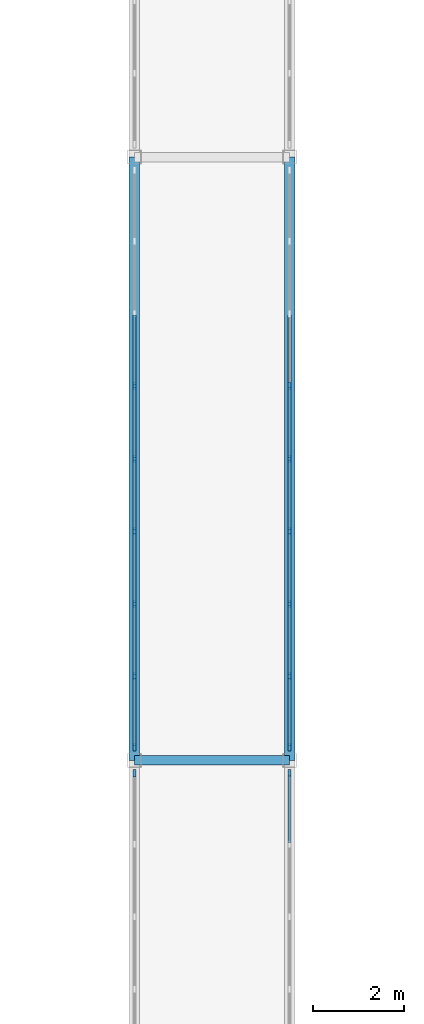
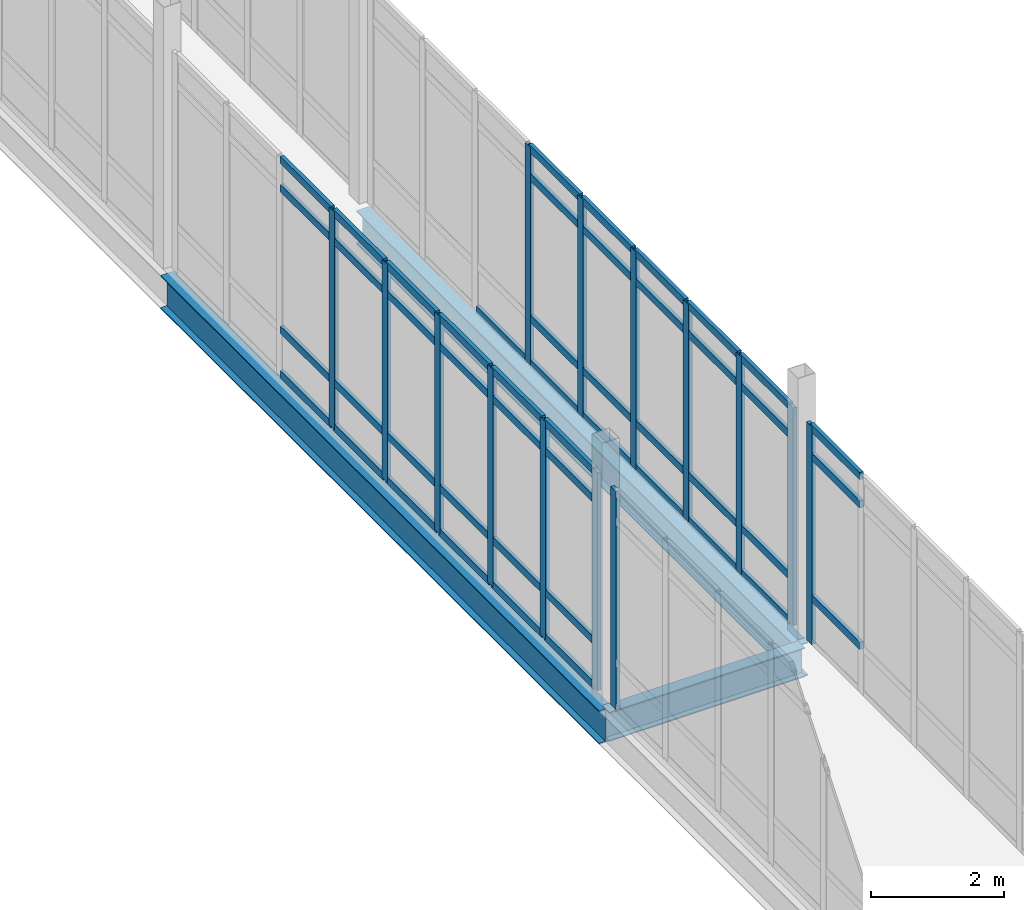
# One storey, part 54 of 125: 62 members, 3 beams, 4 elements without a shape of their own.
"""IFC4 building model written with IfcOpenShell, lengths in metres."""

from ifc_helpers import new_model, si_unit, direction, frame, origin, origin_2d, place, context, subcontext, project, spatial, rectangle, i_section, extrude, material, material_profile, profile_set, type_object, element, aggregate, save


model = new_model("IFC4")

# Units and contexts
model_context = context("Model", 3, precision=1e-05, world=origin(), true_north=direction((0.0, 1.0)))
body_context = subcontext(model_context, "Body", "Model", "MODEL_VIEW")
ifc_project = project(units=[si_unit("LENGTHUNIT", "METRE"), si_unit("AREAUNIT", "SQUARE_METRE"), si_unit("VOLUMEUNIT", "CUBIC_METRE"), si_unit("PLANEANGLEUNIT", "RADIAN"), si_unit("MASSUNIT", "GRAM", prefix="KILO")], contexts=[model_context])

# Site, building, storey
site_placement = place(None, origin())
site = spatial("IfcSite", under=ifc_project, at=site_placement, CompositionType="ELEMENT")
building_placement = place(site_placement, origin())
building = spatial("IfcBuilding", under=site, at=building_placement, Name="Dornvale Research Institute", CompositionType="ELEMENT")
storey_placement = place(building_placement, frame((0.0, 0.0, 5.39990234375)))
storey = spatial("IfcBuildingStorey", under=building, at=storey_placement, Name="L01", CompositionType="ELEMENT", Elevation=5.39990234375)

# Beams
ifc_material_1 = material(Name="Steel ASTM A992 Grade 50", Category="steel")
ifc_material_profile_1 = material_profile(ifc_material_1, i_section(OverallWidth=0.2099609375, OverallDepth=0.535888671875, WebThickness=0.010986328125, FlangeThickness=0.017333984375, at=origin_2d()), Name="W21X68")
ifc_profile_set_1 = profile_set([ifc_material_profile_1], Name="Steel ASTM A992 Grade 50")
beam_type_1 = type_object("IfcBeamType", Name="Beam_Steel_W21X68_Ext", PredefinedType="BEAM", material=ifc_profile_set_1)
beam_placement = place(storey_placement, frame((140.199951171875, 52.800048828125, -0.48779296875), z_axis=(1.0, 0.0, 0.0), x_axis=(0.0, 1.0, 0.0)))
element("IfcBeam", 1, at=beam_placement, inside=storey, type_object=beam_type_1, Name="L01 BR-7 portal cap beam #2026", PredefinedType="BEAM", context=body_context, shape_type="SweptSolid", body=[
    extrude(i_section(OverallWidth=0.2099609375, OverallDepth=0.535888671875, WebThickness=0.010986328125, FlangeThickness=0.017333984375, at=origin_2d()), origin(), (0.0, 0.0, 1.0), 3.400146484375),
])
ifc_material_2 = material(Name="Steel ASTM A992 Grade 50", Category="steel")
ifc_material_profile_2 = material_profile(ifc_material_2, i_section(OverallWidth=0.22900390625, OverallDepth=0.612060546875, WebThickness=0.011962890625, FlangeThickness=0.01953125, at=origin_2d()), Name="W24X84")
ifc_profile_set_2 = profile_set([ifc_material_profile_2], Name="Steel ASTM A992 Grade 50")
beam_type_2 = type_object("IfcBeamType", Name="Beam_Steel_W24X84_Bridge", PredefinedType="BEAM", material=ifc_profile_set_2)
for number, where, z_axis, x_axis, name in (
    (2, (140.199951171875, 52.800048828125, -0.52587890625), (0.0, 1.0, 0.0), (-1.0, 0.0, 0.0), "L01 BR-7 west girder #2026"),
    (3, (143.60009765625, 52.800048828125, -0.52587890625), (0.0, 1.0, 0.0), (-1.0, 0.0, 0.0), "L01 BR-7 east girder #2026"),
):
    element("IfcBeam", number, at=place(storey_placement, frame(where, z_axis=z_axis, x_axis=x_axis)), inside=storey, type_object=beam_type_2, Name=name, PredefinedType="BEAM", context=body_context, shape_type="SweptSolid", body=[
        extrude(i_section(OverallWidth=0.22900390625, OverallDepth=0.612060546875, WebThickness=0.011962890625, FlangeThickness=0.01953125, at=origin_2d()), origin(), (0.0, 0.0, 1.0), 13.199951171875),
    ])

# Curtain wall, member
ifc_material_3 = material(Name="Low-E Argon Double Insulating Glazing Unit", Category="glass")
curtain_wall_type = type_object("IfcCurtainWallType", Name="UnitisedCurtainWall_V2_12700x4000", PredefinedType="USERDEFINED", material=ifc_material_3)
curtain_wall_1_placement = place(storey_placement, origin())
curtain_wall_1 = element("IfcCurtainWall", 4, at=curtain_wall_1_placement, inside=storey, type_object=curtain_wall_type, Name="L01 V2 unitised curtain wall CW-42 #233", ObjectType="UNITISED CURTAIN WALL", PredefinedType="USERDEFINED")
ifc_material_4 = material(Name="Anodized Aluminum AA 6063-T6 Thermally Broken Frame", Category="aluminium")
ifc_material_profile_3 = material_profile(ifc_material_4, rectangle(XDim=0.06494140625, YDim=0.1650390625, at=origin_2d()), Name="ALU MULLION 65x165")
ifc_profile_set_3 = profile_set([ifc_material_profile_3], Name="Anodized Aluminum AA 6063-T6 Thermally Broken Frame")
member_type_1 = type_object("IfcMemberType", Name="Mullion_Atrium_65x165", PredefinedType="MULLION", material=ifc_profile_set_3)
member_1_placement = place(storey_placement, frame((140.199951171875, 52.517578125, 0.0), z_axis=(0.0, 0.0, 1.0), x_axis=(-1.0, 0.0, 0.0)))
member_1 = element("IfcMember", 5, at=member_1_placement, type_object=member_type_1, Name="CW-42 mullion 9", PredefinedType="MULLION", context=body_context, shape_type="SweptSolid", body=[
    extrude(rectangle(XDim=0.06494140625, YDim=0.1650390625, at=origin_2d()), origin(), (0.0, 0.0, 1.0), 4.0),
])
aggregate(curtain_wall_1, [member_1])

curtain_wall_2_placement = place(storey_placement, origin())
curtain_wall_2 = element("IfcCurtainWall", 6, at=curtain_wall_2_placement, inside=storey, type_object=curtain_wall_type, Name="L01 V2 unitised curtain wall CW-42 #234", ObjectType="UNITISED CURTAIN WALL", PredefinedType="USERDEFINED")
member_2_placement = place(storey_placement, frame((143.60009765625, 52.517578125, 0.0), z_axis=(0.0, 0.0, 1.0), x_axis=(1.0, 0.0, 0.0)))
member_2 = element("IfcMember", 7, at=member_2_placement, type_object=member_type_1, Name="CW-42 mullion 1", PredefinedType="MULLION", context=body_context, shape_type="SweptSolid", body=[
    extrude(rectangle(XDim=0.06494140625, YDim=0.1650390625, at=origin_2d()), origin(), (0.0, 0.0, 1.0), 4.0),
])

# Curtain wall, members
curtain_wall_3_placement = place(storey_placement, origin())
curtain_wall_3 = element("IfcCurtainWall", 8, at=curtain_wall_3_placement, inside=storey, type_object=curtain_wall_type, Name="L01 V2 unitised curtain wall CW-42 #235", ObjectType="UNITISED CURTAIN WALL", PredefinedType="USERDEFINED")
member_3_placement = place(storey_placement, frame((140.199951171875, 53.08251953125, 0.0), z_axis=(0.0, 0.0, 1.0), x_axis=(-1.0, 0.0, 0.0)))
member_3 = element("IfcMember", 9, at=member_3_placement, type_object=member_type_1, Name="CW-42 mullion 1", PredefinedType="MULLION", context=body_context, shape_type="SweptSolid", body=[
    extrude(rectangle(XDim=0.06494140625, YDim=0.1650390625, at=origin_2d()), origin(), (0.0, 0.0, 1.0), 4.0),
])
member_4_placement = place(storey_placement, frame((140.199951171875, 54.637451171875, 0.0), z_axis=(0.0, 0.0, 1.0), x_axis=(-1.0, 0.0, 0.0)))
member_4 = element("IfcMember", 10, at=member_4_placement, type_object=member_type_1, Name="CW-42 mullion 2", PredefinedType="MULLION", context=body_context, shape_type="SweptSolid", body=[
    extrude(rectangle(XDim=0.06494140625, YDim=0.1650390625, at=origin_2d()), origin(), (0.0, 0.0, 1.0), 4.0),
])
member_5_placement = place(storey_placement, frame((140.199951171875, 56.22509765625, 0.0), z_axis=(0.0, 0.0, 1.0), x_axis=(-1.0, 0.0, 0.0)))
member_5 = element("IfcMember", 11, at=member_5_placement, type_object=member_type_1, Name="CW-42 mullion 3", PredefinedType="MULLION", context=body_context, shape_type="SweptSolid", body=[
    extrude(rectangle(XDim=0.06494140625, YDim=0.1650390625, at=origin_2d()), origin(), (0.0, 0.0, 1.0), 4.0),
])
member_6_placement = place(storey_placement, frame((140.199951171875, 57.8125, 0.0), z_axis=(0.0, 0.0, 1.0), x_axis=(-1.0, 0.0, 0.0)))
member_6 = element("IfcMember", 12, at=member_6_placement, type_object=member_type_1, Name="CW-42 mullion 4", PredefinedType="MULLION", context=body_context, shape_type="SweptSolid", body=[
    extrude(rectangle(XDim=0.06494140625, YDim=0.1650390625, at=origin_2d()), origin(), (0.0, 0.0, 1.0), 4.0),
])
member_7_placement = place(storey_placement, frame((140.199951171875, 59.39990234375, 0.0), z_axis=(0.0, 0.0, 1.0), x_axis=(-1.0, 0.0, 0.0)))
member_7 = element("IfcMember", 13, at=member_7_placement, type_object=member_type_1, Name="CW-42 mullion 5", PredefinedType="MULLION", context=body_context, shape_type="SweptSolid", body=[
    extrude(rectangle(XDim=0.06494140625, YDim=0.1650390625, at=origin_2d()), origin(), (0.0, 0.0, 1.0), 4.0),
])
member_8_placement = place(storey_placement, frame((140.199951171875, 60.987548828125, 0.0), z_axis=(0.0, 0.0, 1.0), x_axis=(-1.0, 0.0, 0.0)))
member_8 = element("IfcMember", 14, at=member_8_placement, type_object=member_type_1, Name="CW-42 mullion 6", PredefinedType="MULLION", context=body_context, shape_type="SweptSolid", body=[
    extrude(rectangle(XDim=0.06494140625, YDim=0.1650390625, at=origin_2d()), origin(), (0.0, 0.0, 1.0), 4.0),
])

curtain_wall_4_placement = place(storey_placement, origin())
curtain_wall_4 = element("IfcCurtainWall", 15, at=curtain_wall_4_placement, inside=storey, type_object=curtain_wall_type, Name="L01 V2 unitised curtain wall CW-42 #236", ObjectType="UNITISED CURTAIN WALL", PredefinedType="USERDEFINED")
member_9_placement = place(storey_placement, frame((143.60009765625, 60.987548828125, 0.0), z_axis=(0.0, 0.0, 1.0), x_axis=(1.0, 0.0, 0.0)))
member_9 = element("IfcMember", 16, at=member_9_placement, type_object=member_type_1, Name="CW-42 mullion 4", PredefinedType="MULLION", context=body_context, shape_type="SweptSolid", body=[
    extrude(rectangle(XDim=0.06494140625, YDim=0.1650390625, at=origin_2d()), origin(), (0.0, 0.0, 1.0), 4.0),
])
member_10_placement = place(storey_placement, frame((143.60009765625, 59.39990234375, 0.0), z_axis=(0.0, 0.0, 1.0), x_axis=(1.0, 0.0, 0.0)))
member_10 = element("IfcMember", 17, at=member_10_placement, type_object=member_type_1, Name="CW-42 mullion 5", PredefinedType="MULLION", context=body_context, shape_type="SweptSolid", body=[
    extrude(rectangle(XDim=0.06494140625, YDim=0.1650390625, at=origin_2d()), origin(), (0.0, 0.0, 1.0), 4.0),
])
member_11_placement = place(storey_placement, frame((143.60009765625, 57.8125, 0.0), z_axis=(0.0, 0.0, 1.0), x_axis=(1.0, 0.0, 0.0)))
member_11 = element("IfcMember", 18, at=member_11_placement, type_object=member_type_1, Name="CW-42 mullion 6", PredefinedType="MULLION", context=body_context, shape_type="SweptSolid", body=[
    extrude(rectangle(XDim=0.06494140625, YDim=0.1650390625, at=origin_2d()), origin(), (0.0, 0.0, 1.0), 4.0),
])
member_12_placement = place(storey_placement, frame((143.60009765625, 56.22509765625, 0.0), z_axis=(0.0, 0.0, 1.0), x_axis=(1.0, 0.0, 0.0)))
member_12 = element("IfcMember", 19, at=member_12_placement, type_object=member_type_1, Name="CW-42 mullion 7", PredefinedType="MULLION", context=body_context, shape_type="SweptSolid", body=[
    extrude(rectangle(XDim=0.06494140625, YDim=0.1650390625, at=origin_2d()), origin(), (0.0, 0.0, 1.0), 4.0),
])
member_13_placement = place(storey_placement, frame((143.60009765625, 54.637451171875, 0.0), z_axis=(0.0, 0.0, 1.0), x_axis=(1.0, 0.0, 0.0)))
member_13 = element("IfcMember", 20, at=member_13_placement, type_object=member_type_1, Name="CW-42 mullion 8", PredefinedType="MULLION", context=body_context, shape_type="SweptSolid", body=[
    extrude(rectangle(XDim=0.06494140625, YDim=0.1650390625, at=origin_2d()), origin(), (0.0, 0.0, 1.0), 4.0),
])
member_14_placement = place(storey_placement, frame((143.60009765625, 53.08251953125, 0.0), z_axis=(0.0, 0.0, 1.0), x_axis=(1.0, 0.0, 0.0)))
member_14 = element("IfcMember", 21, at=member_14_placement, type_object=member_type_1, Name="CW-42 mullion 9", PredefinedType="MULLION", context=body_context, shape_type="SweptSolid", body=[
    extrude(rectangle(XDim=0.06494140625, YDim=0.1650390625, at=origin_2d()), origin(), (0.0, 0.0, 1.0), 4.0),
])

# Member
ifc_material_5 = material(Name="Anodized Aluminum AA 6063-T6 Thermally Broken Frame", Category="aluminium")
ifc_material_profile_4 = material_profile(ifc_material_5, rectangle(XDim=0.06494140625, YDim=0.135009765625, at=origin_2d()), Name="ALU TRANSOM 65x135")
ifc_profile_set_4 = profile_set([ifc_material_profile_4], Name="Anodized Aluminum AA 6063-T6 Thermally Broken Frame")
member_type_2 = type_object("IfcMemberType", Name="Transom_CW_65x135", PredefinedType="USERDEFINED", material=ifc_profile_set_4)
member_15_placement = place(storey_placement, frame((143.60009765625, 52.485107421875, 0.85009765625), z_axis=(0.0, -1.0, 0.0), x_axis=(1.0, 0.0, 0.0)))
member_15 = element("IfcMember", 22, at=member_15_placement, type_object=member_type_2, Name="CW-42 transom 1.2", ObjectType="TRANSOM", PredefinedType="USERDEFINED", context=body_context, shape_type="SweptSolid", body=[
    extrude(rectangle(XDim=0.06494140625, YDim=0.135009765625, at=origin_2d()), origin(), (0.0, 0.0, 1.0), 1.489990234375),
])

member_16_placement = place(storey_placement, frame((143.60009765625, 52.485107421875, 3.4501953125), z_axis=(0.0, -1.0, 0.0), x_axis=(1.0, 0.0, 0.0)))
member_16 = element("IfcMember", 23, at=member_16_placement, type_object=member_type_2, Name="CW-42 transom 1.3", ObjectType="TRANSOM", PredefinedType="USERDEFINED", context=body_context, shape_type="SweptSolid", body=[
    extrude(rectangle(XDim=0.06494140625, YDim=0.135009765625, at=origin_2d()), origin(), (0.0, 0.0, 1.0), 1.489990234375),
])

member_17_placement = place(storey_placement, frame((143.60009765625, 52.485107421875, 3.967529296875), z_axis=(0.0, -1.0, 0.0), x_axis=(1.0, 0.0, 0.0)))
member_17 = element("IfcMember", 24, at=member_17_placement, type_object=member_type_2, Name="CW-42 transom 1.4", ObjectType="TRANSOM", PredefinedType="USERDEFINED", context=body_context, shape_type="SweptSolid", body=[
    extrude(rectangle(XDim=0.06494140625, YDim=0.135009765625, at=origin_2d()), origin(), (0.0, 0.0, 1.0), 1.489990234375),
])

aggregate(curtain_wall_2, [member_2, member_15, member_16, member_17])

member_18_placement = place(storey_placement, frame((140.199951171875, 53.114990234375, 0.03271484375), z_axis=(0.0, 1.0, 0.0), x_axis=(-1.0, 0.0, 0.0)))
member_18 = element("IfcMember", 25, at=member_18_placement, type_object=member_type_2, Name="CW-42 transom 1.1", ObjectType="TRANSOM", PredefinedType="USERDEFINED", context=body_context, shape_type="SweptSolid", body=[
    extrude(rectangle(XDim=0.06494140625, YDim=0.135009765625, at=origin_2d()), origin(), (0.0, 0.0, 1.0), 1.489990234375),
])

member_19_placement = place(storey_placement, frame((140.199951171875, 53.114990234375, 0.85009765625), z_axis=(0.0, 1.0, 0.0), x_axis=(-1.0, 0.0, 0.0)))
member_19 = element("IfcMember", 26, at=member_19_placement, type_object=member_type_2, Name="CW-42 transom 1.2", ObjectType="TRANSOM", PredefinedType="USERDEFINED", context=body_context, shape_type="SweptSolid", body=[
    extrude(rectangle(XDim=0.06494140625, YDim=0.135009765625, at=origin_2d()), origin(), (0.0, 0.0, 1.0), 1.489990234375),
])

member_20_placement = place(storey_placement, frame((140.199951171875, 53.114990234375, 3.4501953125), z_axis=(0.0, 1.0, 0.0), x_axis=(-1.0, 0.0, 0.0)))
member_20 = element("IfcMember", 27, at=member_20_placement, type_object=member_type_2, Name="CW-42 transom 1.3", ObjectType="TRANSOM", PredefinedType="USERDEFINED", context=body_context, shape_type="SweptSolid", body=[
    extrude(rectangle(XDim=0.06494140625, YDim=0.135009765625, at=origin_2d()), origin(), (0.0, 0.0, 1.0), 1.489990234375),
])

member_21_placement = place(storey_placement, frame((140.199951171875, 53.114990234375, 3.967529296875), z_axis=(0.0, 1.0, 0.0), x_axis=(-1.0, 0.0, 0.0)))
member_21 = element("IfcMember", 28, at=member_21_placement, type_object=member_type_2, Name="CW-42 transom 1.4", ObjectType="TRANSOM", PredefinedType="USERDEFINED", context=body_context, shape_type="SweptSolid", body=[
    extrude(rectangle(XDim=0.06494140625, YDim=0.135009765625, at=origin_2d()), origin(), (0.0, 0.0, 1.0), 1.489990234375),
])

member_22_placement = place(storey_placement, frame((140.199951171875, 54.669921875, 0.03271484375), z_axis=(0.0, 1.0, 0.0), x_axis=(-1.0, 0.0, 0.0)))
member_22 = element("IfcMember", 29, at=member_22_placement, type_object=member_type_2, Name="CW-42 transom 2.1", ObjectType="TRANSOM", PredefinedType="USERDEFINED", context=body_context, shape_type="SweptSolid", body=[
    extrude(rectangle(XDim=0.06494140625, YDim=0.135009765625, at=origin_2d()), origin(), (0.0, 0.0, 1.0), 1.5224609375),
])

member_23_placement = place(storey_placement, frame((140.199951171875, 54.669921875, 0.85009765625), z_axis=(0.0, 1.0, 0.0), x_axis=(-1.0, 0.0, 0.0)))
member_23 = element("IfcMember", 30, at=member_23_placement, type_object=member_type_2, Name="CW-42 transom 2.2", ObjectType="TRANSOM", PredefinedType="USERDEFINED", context=body_context, shape_type="SweptSolid", body=[
    extrude(rectangle(XDim=0.06494140625, YDim=0.135009765625, at=origin_2d()), origin(), (0.0, 0.0, 1.0), 1.5224609375),
])

member_24_placement = place(storey_placement, frame((140.199951171875, 54.669921875, 3.4501953125), z_axis=(0.0, 1.0, 0.0), x_axis=(-1.0, 0.0, 0.0)))
member_24 = element("IfcMember", 31, at=member_24_placement, type_object=member_type_2, Name="CW-42 transom 2.3", ObjectType="TRANSOM", PredefinedType="USERDEFINED", context=body_context, shape_type="SweptSolid", body=[
    extrude(rectangle(XDim=0.06494140625, YDim=0.135009765625, at=origin_2d()), origin(), (0.0, 0.0, 1.0), 1.5224609375),
])

member_25_placement = place(storey_placement, frame((140.199951171875, 54.669921875, 3.967529296875), z_axis=(0.0, 1.0, 0.0), x_axis=(-1.0, 0.0, 0.0)))
member_25 = element("IfcMember", 32, at=member_25_placement, type_object=member_type_2, Name="CW-42 transom 2.4", ObjectType="TRANSOM", PredefinedType="USERDEFINED", context=body_context, shape_type="SweptSolid", body=[
    extrude(rectangle(XDim=0.06494140625, YDim=0.135009765625, at=origin_2d()), origin(), (0.0, 0.0, 1.0), 1.5224609375),
])

member_26_placement = place(storey_placement, frame((140.199951171875, 56.257568359375, 0.03271484375), z_axis=(0.0, 1.0, 0.0), x_axis=(-1.0, 0.0, 0.0)))
member_26 = element("IfcMember", 33, at=member_26_placement, type_object=member_type_2, Name="CW-42 transom 3.1", ObjectType="TRANSOM", PredefinedType="USERDEFINED", context=body_context, shape_type="SweptSolid", body=[
    extrude(rectangle(XDim=0.06494140625, YDim=0.135009765625, at=origin_2d()), origin(), (0.0, 0.0, 1.0), 1.5224609375),
])

member_27_placement = place(storey_placement, frame((140.199951171875, 56.257568359375, 0.85009765625), z_axis=(0.0, 1.0, 0.0), x_axis=(-1.0, 0.0, 0.0)))
member_27 = element("IfcMember", 34, at=member_27_placement, type_object=member_type_2, Name="CW-42 transom 3.2", ObjectType="TRANSOM", PredefinedType="USERDEFINED", context=body_context, shape_type="SweptSolid", body=[
    extrude(rectangle(XDim=0.06494140625, YDim=0.135009765625, at=origin_2d()), origin(), (0.0, 0.0, 1.0), 1.5224609375),
])

member_28_placement = place(storey_placement, frame((140.199951171875, 56.257568359375, 3.4501953125), z_axis=(0.0, 1.0, 0.0), x_axis=(-1.0, 0.0, 0.0)))
member_28 = element("IfcMember", 35, at=member_28_placement, type_object=member_type_2, Name="CW-42 transom 3.3", ObjectType="TRANSOM", PredefinedType="USERDEFINED", context=body_context, shape_type="SweptSolid", body=[
    extrude(rectangle(XDim=0.06494140625, YDim=0.135009765625, at=origin_2d()), origin(), (0.0, 0.0, 1.0), 1.5224609375),
])

member_29_placement = place(storey_placement, frame((140.199951171875, 56.257568359375, 3.967529296875), z_axis=(0.0, 1.0, 0.0), x_axis=(-1.0, 0.0, 0.0)))
member_29 = element("IfcMember", 36, at=member_29_placement, type_object=member_type_2, Name="CW-42 transom 3.4", ObjectType="TRANSOM", PredefinedType="USERDEFINED", context=body_context, shape_type="SweptSolid", body=[
    extrude(rectangle(XDim=0.06494140625, YDim=0.135009765625, at=origin_2d()), origin(), (0.0, 0.0, 1.0), 1.5224609375),
])

member_30_placement = place(storey_placement, frame((140.199951171875, 57.844970703125, 0.03271484375), z_axis=(0.0, 1.0, 0.0), x_axis=(-1.0, 0.0, 0.0)))
member_30 = element("IfcMember", 37, at=member_30_placement, type_object=member_type_2, Name="CW-42 transom 4.1", ObjectType="TRANSOM", PredefinedType="USERDEFINED", context=body_context, shape_type="SweptSolid", body=[
    extrude(rectangle(XDim=0.06494140625, YDim=0.135009765625, at=origin_2d()), origin(), (0.0, 0.0, 1.0), 1.5224609375),
])

member_31_placement = place(storey_placement, frame((140.199951171875, 57.844970703125, 0.85009765625), z_axis=(0.0, 1.0, 0.0), x_axis=(-1.0, 0.0, 0.0)))
member_31 = element("IfcMember", 38, at=member_31_placement, type_object=member_type_2, Name="CW-42 transom 4.2", ObjectType="TRANSOM", PredefinedType="USERDEFINED", context=body_context, shape_type="SweptSolid", body=[
    extrude(rectangle(XDim=0.06494140625, YDim=0.135009765625, at=origin_2d()), origin(), (0.0, 0.0, 1.0), 1.5224609375),
])

member_32_placement = place(storey_placement, frame((140.199951171875, 57.844970703125, 3.4501953125), z_axis=(0.0, 1.0, 0.0), x_axis=(-1.0, 0.0, 0.0)))
member_32 = element("IfcMember", 39, at=member_32_placement, type_object=member_type_2, Name="CW-42 transom 4.3", ObjectType="TRANSOM", PredefinedType="USERDEFINED", context=body_context, shape_type="SweptSolid", body=[
    extrude(rectangle(XDim=0.06494140625, YDim=0.135009765625, at=origin_2d()), origin(), (0.0, 0.0, 1.0), 1.5224609375),
])

member_33_placement = place(storey_placement, frame((140.199951171875, 57.844970703125, 3.967529296875), z_axis=(0.0, 1.0, 0.0), x_axis=(-1.0, 0.0, 0.0)))
member_33 = element("IfcMember", 40, at=member_33_placement, type_object=member_type_2, Name="CW-42 transom 4.4", ObjectType="TRANSOM", PredefinedType="USERDEFINED", context=body_context, shape_type="SweptSolid", body=[
    extrude(rectangle(XDim=0.06494140625, YDim=0.135009765625, at=origin_2d()), origin(), (0.0, 0.0, 1.0), 1.5224609375),
])

member_34_placement = place(storey_placement, frame((140.199951171875, 59.4326171875, 0.03271484375), z_axis=(0.0, 1.0, 0.0), x_axis=(-1.0, 0.0, 0.0)))
member_34 = element("IfcMember", 41, at=member_34_placement, type_object=member_type_2, Name="CW-42 transom 5.1", ObjectType="TRANSOM", PredefinedType="USERDEFINED", context=body_context, shape_type="SweptSolid", body=[
    extrude(rectangle(XDim=0.06494140625, YDim=0.135009765625, at=origin_2d()), origin(), (0.0, 0.0, 1.0), 1.5224609375),
])

member_35_placement = place(storey_placement, frame((140.199951171875, 59.4326171875, 0.85009765625), z_axis=(0.0, 1.0, 0.0), x_axis=(-1.0, 0.0, 0.0)))
member_35 = element("IfcMember", 42, at=member_35_placement, type_object=member_type_2, Name="CW-42 transom 5.2", ObjectType="TRANSOM", PredefinedType="USERDEFINED", context=body_context, shape_type="SweptSolid", body=[
    extrude(rectangle(XDim=0.06494140625, YDim=0.135009765625, at=origin_2d()), origin(), (0.0, 0.0, 1.0), 1.5224609375),
])

member_36_placement = place(storey_placement, frame((140.199951171875, 59.4326171875, 3.4501953125), z_axis=(0.0, 1.0, 0.0), x_axis=(-1.0, 0.0, 0.0)))
member_36 = element("IfcMember", 43, at=member_36_placement, type_object=member_type_2, Name="CW-42 transom 5.3", ObjectType="TRANSOM", PredefinedType="USERDEFINED", context=body_context, shape_type="SweptSolid", body=[
    extrude(rectangle(XDim=0.06494140625, YDim=0.135009765625, at=origin_2d()), origin(), (0.0, 0.0, 1.0), 1.5224609375),
])

member_37_placement = place(storey_placement, frame((140.199951171875, 59.4326171875, 3.967529296875), z_axis=(0.0, 1.0, 0.0), x_axis=(-1.0, 0.0, 0.0)))
member_37 = element("IfcMember", 44, at=member_37_placement, type_object=member_type_2, Name="CW-42 transom 5.4", ObjectType="TRANSOM", PredefinedType="USERDEFINED", context=body_context, shape_type="SweptSolid", body=[
    extrude(rectangle(XDim=0.06494140625, YDim=0.135009765625, at=origin_2d()), origin(), (0.0, 0.0, 1.0), 1.5224609375),
])

member_38_placement = place(storey_placement, frame((140.199951171875, 61.02001953125, 0.03271484375), z_axis=(0.0, 1.0, 0.0), x_axis=(-1.0, 0.0, 0.0)))
member_38 = element("IfcMember", 45, at=member_38_placement, type_object=member_type_2, Name="CW-42 transom 6.1", ObjectType="TRANSOM", PredefinedType="USERDEFINED", context=body_context, shape_type="SweptSolid", body=[
    extrude(rectangle(XDim=0.06494140625, YDim=0.135009765625, at=origin_2d()), origin(), (0.0, 0.0, 1.0), 1.5224609375),
])

member_39_placement = place(storey_placement, frame((140.199951171875, 61.02001953125, 0.85009765625), z_axis=(0.0, 1.0, 0.0), x_axis=(-1.0, 0.0, 0.0)))
member_39 = element("IfcMember", 46, at=member_39_placement, type_object=member_type_2, Name="CW-42 transom 6.2", ObjectType="TRANSOM", PredefinedType="USERDEFINED", context=body_context, shape_type="SweptSolid", body=[
    extrude(rectangle(XDim=0.06494140625, YDim=0.135009765625, at=origin_2d()), origin(), (0.0, 0.0, 1.0), 1.5224609375),
])

member_40_placement = place(storey_placement, frame((140.199951171875, 61.02001953125, 3.4501953125), z_axis=(0.0, 1.0, 0.0), x_axis=(-1.0, 0.0, 0.0)))
member_40 = element("IfcMember", 47, at=member_40_placement, type_object=member_type_2, Name="CW-42 transom 6.3", ObjectType="TRANSOM", PredefinedType="USERDEFINED", context=body_context, shape_type="SweptSolid", body=[
    extrude(rectangle(XDim=0.06494140625, YDim=0.135009765625, at=origin_2d()), origin(), (0.0, 0.0, 1.0), 1.5224609375),
])

member_41_placement = place(storey_placement, frame((140.199951171875, 61.02001953125, 3.967529296875), z_axis=(0.0, 1.0, 0.0), x_axis=(-1.0, 0.0, 0.0)))
member_41 = element("IfcMember", 48, at=member_41_placement, type_object=member_type_2, Name="CW-42 transom 6.4", ObjectType="TRANSOM", PredefinedType="USERDEFINED", context=body_context, shape_type="SweptSolid", body=[
    extrude(rectangle(XDim=0.06494140625, YDim=0.135009765625, at=origin_2d()), origin(), (0.0, 0.0, 1.0), 1.5224609375),
])

aggregate(curtain_wall_3, [member_3, member_4, member_5, member_6, member_7, member_8, member_18, member_19, member_20, member_21, member_22, member_23, member_24, member_25, member_26, member_27, member_28, member_29, member_30, member_31, member_32, member_33, member_34, member_35, member_36, member_37, member_38, member_39, member_40, member_41])

member_42_placement = place(storey_placement, frame((143.60009765625, 62.54248046875, 0.03271484375), z_axis=(0.0, -1.0, 0.0), x_axis=(1.0, 0.0, 0.0)))
member_42 = element("IfcMember", 49, at=member_42_placement, type_object=member_type_2, Name="CW-42 transom 3.1", ObjectType="TRANSOM", PredefinedType="USERDEFINED", context=body_context, shape_type="SweptSolid", body=[
    extrude(rectangle(XDim=0.06494140625, YDim=0.135009765625, at=origin_2d()), origin(), (0.0, 0.0, 1.0), 1.5224609375),
])

member_43_placement = place(storey_placement, frame((143.60009765625, 60.955078125, 0.03271484375), z_axis=(0.0, -1.0, 0.0), x_axis=(1.0, 0.0, 0.0)))
member_43 = element("IfcMember", 50, at=member_43_placement, type_object=member_type_2, Name="CW-42 transom 4.1", ObjectType="TRANSOM", PredefinedType="USERDEFINED", context=body_context, shape_type="SweptSolid", body=[
    extrude(rectangle(XDim=0.06494140625, YDim=0.135009765625, at=origin_2d()), origin(), (0.0, 0.0, 1.0), 1.5224609375),
])

member_44_placement = place(storey_placement, frame((143.60009765625, 60.955078125, 0.85009765625), z_axis=(0.0, -1.0, 0.0), x_axis=(1.0, 0.0, 0.0)))
member_44 = element("IfcMember", 51, at=member_44_placement, type_object=member_type_2, Name="CW-42 transom 4.2", ObjectType="TRANSOM", PredefinedType="USERDEFINED", context=body_context, shape_type="SweptSolid", body=[
    extrude(rectangle(XDim=0.06494140625, YDim=0.135009765625, at=origin_2d()), origin(), (0.0, 0.0, 1.0), 1.5224609375),
])

member_45_placement = place(storey_placement, frame((143.60009765625, 60.955078125, 3.4501953125), z_axis=(0.0, -1.0, 0.0), x_axis=(1.0, 0.0, 0.0)))
member_45 = element("IfcMember", 52, at=member_45_placement, type_object=member_type_2, Name="CW-42 transom 4.3", ObjectType="TRANSOM", PredefinedType="USERDEFINED", context=body_context, shape_type="SweptSolid", body=[
    extrude(rectangle(XDim=0.06494140625, YDim=0.135009765625, at=origin_2d()), origin(), (0.0, 0.0, 1.0), 1.5224609375),
])

member_46_placement = place(storey_placement, frame((143.60009765625, 60.955078125, 3.967529296875), z_axis=(0.0, -1.0, 0.0), x_axis=(1.0, 0.0, 0.0)))
member_46 = element("IfcMember", 53, at=member_46_placement, type_object=member_type_2, Name="CW-42 transom 4.4", ObjectType="TRANSOM", PredefinedType="USERDEFINED", context=body_context, shape_type="SweptSolid", body=[
    extrude(rectangle(XDim=0.06494140625, YDim=0.135009765625, at=origin_2d()), origin(), (0.0, 0.0, 1.0), 1.5224609375),
])

member_47_placement = place(storey_placement, frame((143.60009765625, 59.367431640625, 0.03271484375), z_axis=(0.0, -1.0, 0.0), x_axis=(1.0, 0.0, 0.0)))
member_47 = element("IfcMember", 54, at=member_47_placement, type_object=member_type_2, Name="CW-42 transom 5.1", ObjectType="TRANSOM", PredefinedType="USERDEFINED", context=body_context, shape_type="SweptSolid", body=[
    extrude(rectangle(XDim=0.06494140625, YDim=0.135009765625, at=origin_2d()), origin(), (0.0, 0.0, 1.0), 1.5224609375),
])

member_48_placement = place(storey_placement, frame((143.60009765625, 59.367431640625, 0.85009765625), z_axis=(0.0, -1.0, 0.0), x_axis=(1.0, 0.0, 0.0)))
member_48 = element("IfcMember", 55, at=member_48_placement, type_object=member_type_2, Name="CW-42 transom 5.2", ObjectType="TRANSOM", PredefinedType="USERDEFINED", context=body_context, shape_type="SweptSolid", body=[
    extrude(rectangle(XDim=0.06494140625, YDim=0.135009765625, at=origin_2d()), origin(), (0.0, 0.0, 1.0), 1.5224609375),
])

member_49_placement = place(storey_placement, frame((143.60009765625, 59.367431640625, 3.4501953125), z_axis=(0.0, -1.0, 0.0), x_axis=(1.0, 0.0, 0.0)))
member_49 = element("IfcMember", 56, at=member_49_placement, type_object=member_type_2, Name="CW-42 transom 5.3", ObjectType="TRANSOM", PredefinedType="USERDEFINED", context=body_context, shape_type="SweptSolid", body=[
    extrude(rectangle(XDim=0.06494140625, YDim=0.135009765625, at=origin_2d()), origin(), (0.0, 0.0, 1.0), 1.5224609375),
])

member_50_placement = place(storey_placement, frame((143.60009765625, 59.367431640625, 3.967529296875), z_axis=(0.0, -1.0, 0.0), x_axis=(1.0, 0.0, 0.0)))
member_50 = element("IfcMember", 57, at=member_50_placement, type_object=member_type_2, Name="CW-42 transom 5.4", ObjectType="TRANSOM", PredefinedType="USERDEFINED", context=body_context, shape_type="SweptSolid", body=[
    extrude(rectangle(XDim=0.06494140625, YDim=0.135009765625, at=origin_2d()), origin(), (0.0, 0.0, 1.0), 1.5224609375),
])

member_51_placement = place(storey_placement, frame((143.60009765625, 57.780029296875, 0.03271484375), z_axis=(0.0, -1.0, 0.0), x_axis=(1.0, 0.0, 0.0)))
member_51 = element("IfcMember", 58, at=member_51_placement, type_object=member_type_2, Name="CW-42 transom 6.1", ObjectType="TRANSOM", PredefinedType="USERDEFINED", context=body_context, shape_type="SweptSolid", body=[
    extrude(rectangle(XDim=0.06494140625, YDim=0.135009765625, at=origin_2d()), origin(), (0.0, 0.0, 1.0), 1.5224609375),
])

member_52_placement = place(storey_placement, frame((143.60009765625, 57.780029296875, 0.85009765625), z_axis=(0.0, -1.0, 0.0), x_axis=(1.0, 0.0, 0.0)))
member_52 = element("IfcMember", 59, at=member_52_placement, type_object=member_type_2, Name="CW-42 transom 6.2", ObjectType="TRANSOM", PredefinedType="USERDEFINED", context=body_context, shape_type="SweptSolid", body=[
    extrude(rectangle(XDim=0.06494140625, YDim=0.135009765625, at=origin_2d()), origin(), (0.0, 0.0, 1.0), 1.5224609375),
])

member_53_placement = place(storey_placement, frame((143.60009765625, 57.780029296875, 3.4501953125), z_axis=(0.0, -1.0, 0.0), x_axis=(1.0, 0.0, 0.0)))
member_53 = element("IfcMember", 60, at=member_53_placement, type_object=member_type_2, Name="CW-42 transom 6.3", ObjectType="TRANSOM", PredefinedType="USERDEFINED", context=body_context, shape_type="SweptSolid", body=[
    extrude(rectangle(XDim=0.06494140625, YDim=0.135009765625, at=origin_2d()), origin(), (0.0, 0.0, 1.0), 1.5224609375),
])

member_54_placement = place(storey_placement, frame((143.60009765625, 57.780029296875, 3.967529296875), z_axis=(0.0, -1.0, 0.0), x_axis=(1.0, 0.0, 0.0)))
member_54 = element("IfcMember", 61, at=member_54_placement, type_object=member_type_2, Name="CW-42 transom 6.4", ObjectType="TRANSOM", PredefinedType="USERDEFINED", context=body_context, shape_type="SweptSolid", body=[
    extrude(rectangle(XDim=0.06494140625, YDim=0.135009765625, at=origin_2d()), origin(), (0.0, 0.0, 1.0), 1.5224609375),
])

member_55_placement = place(storey_placement, frame((143.60009765625, 56.1923828125, 0.03271484375), z_axis=(0.0, -1.0, 0.0), x_axis=(1.0, 0.0, 0.0)))
member_55 = element("IfcMember", 62, at=member_55_placement, type_object=member_type_2, Name="CW-42 transom 7.1", ObjectType="TRANSOM", PredefinedType="USERDEFINED", context=body_context, shape_type="SweptSolid", body=[
    extrude(rectangle(XDim=0.06494140625, YDim=0.135009765625, at=origin_2d()), origin(), (0.0, 0.0, 1.0), 1.5224609375),
])

member_56_placement = place(storey_placement, frame((143.60009765625, 56.1923828125, 0.85009765625), z_axis=(0.0, -1.0, 0.0), x_axis=(1.0, 0.0, 0.0)))
member_56 = element("IfcMember", 63, at=member_56_placement, type_object=member_type_2, Name="CW-42 transom 7.2", ObjectType="TRANSOM", PredefinedType="USERDEFINED", context=body_context, shape_type="SweptSolid", body=[
    extrude(rectangle(XDim=0.06494140625, YDim=0.135009765625, at=origin_2d()), origin(), (0.0, 0.0, 1.0), 1.5224609375),
])

member_57_placement = place(storey_placement, frame((143.60009765625, 56.1923828125, 3.4501953125), z_axis=(0.0, -1.0, 0.0), x_axis=(1.0, 0.0, 0.0)))
member_57 = element("IfcMember", 64, at=member_57_placement, type_object=member_type_2, Name="CW-42 transom 7.3", ObjectType="TRANSOM", PredefinedType="USERDEFINED", context=body_context, shape_type="SweptSolid", body=[
    extrude(rectangle(XDim=0.06494140625, YDim=0.135009765625, at=origin_2d()), origin(), (0.0, 0.0, 1.0), 1.5224609375),
])

member_58_placement = place(storey_placement, frame((143.60009765625, 56.1923828125, 3.967529296875), z_axis=(0.0, -1.0, 0.0), x_axis=(1.0, 0.0, 0.0)))
member_58 = element("IfcMember", 65, at=member_58_placement, type_object=member_type_2, Name="CW-42 transom 7.4", ObjectType="TRANSOM", PredefinedType="USERDEFINED", context=body_context, shape_type="SweptSolid", body=[
    extrude(rectangle(XDim=0.06494140625, YDim=0.135009765625, at=origin_2d()), origin(), (0.0, 0.0, 1.0), 1.5224609375),
])

member_59_placement = place(storey_placement, frame((143.60009765625, 54.60498046875, 0.03271484375), z_axis=(0.0, -1.0, 0.0), x_axis=(1.0, 0.0, 0.0)))
member_59 = element("IfcMember", 66, at=member_59_placement, type_object=member_type_2, Name="CW-42 transom 8.1", ObjectType="TRANSOM", PredefinedType="USERDEFINED", context=body_context, shape_type="SweptSolid", body=[
    extrude(rectangle(XDim=0.06494140625, YDim=0.135009765625, at=origin_2d()), origin(), (0.0, 0.0, 1.0), 1.489990234375),
])

member_60_placement = place(storey_placement, frame((143.60009765625, 54.60498046875, 0.85009765625), z_axis=(0.0, -1.0, 0.0), x_axis=(1.0, 0.0, 0.0)))
member_60 = element("IfcMember", 67, at=member_60_placement, type_object=member_type_2, Name="CW-42 transom 8.2", ObjectType="TRANSOM", PredefinedType="USERDEFINED", context=body_context, shape_type="SweptSolid", body=[
    extrude(rectangle(XDim=0.06494140625, YDim=0.135009765625, at=origin_2d()), origin(), (0.0, 0.0, 1.0), 1.489990234375),
])

member_61_placement = place(storey_placement, frame((143.60009765625, 54.60498046875, 3.4501953125), z_axis=(0.0, -1.0, 0.0), x_axis=(1.0, 0.0, 0.0)))
member_61 = element("IfcMember", 68, at=member_61_placement, type_object=member_type_2, Name="CW-42 transom 8.3", ObjectType="TRANSOM", PredefinedType="USERDEFINED", context=body_context, shape_type="SweptSolid", body=[
    extrude(rectangle(XDim=0.06494140625, YDim=0.135009765625, at=origin_2d()), origin(), (0.0, 0.0, 1.0), 1.489990234375),
])

member_62_placement = place(storey_placement, frame((143.60009765625, 54.60498046875, 3.967529296875), z_axis=(0.0, -1.0, 0.0), x_axis=(1.0, 0.0, 0.0)))
member_62 = element("IfcMember", 69, at=member_62_placement, type_object=member_type_2, Name="CW-42 transom 8.4", ObjectType="TRANSOM", PredefinedType="USERDEFINED", context=body_context, shape_type="SweptSolid", body=[
    extrude(rectangle(XDim=0.06494140625, YDim=0.135009765625, at=origin_2d()), origin(), (0.0, 0.0, 1.0), 1.489990234375),
])

aggregate(curtain_wall_4, [member_9, member_10, member_11, member_12, member_13, member_14, member_42, member_43, member_44, member_45, member_46, member_47, member_48, member_49, member_50, member_51, member_52, member_53, member_54, member_55, member_56, member_57, member_58, member_59, member_60, member_61, member_62])

save(model, "model.ifc")
